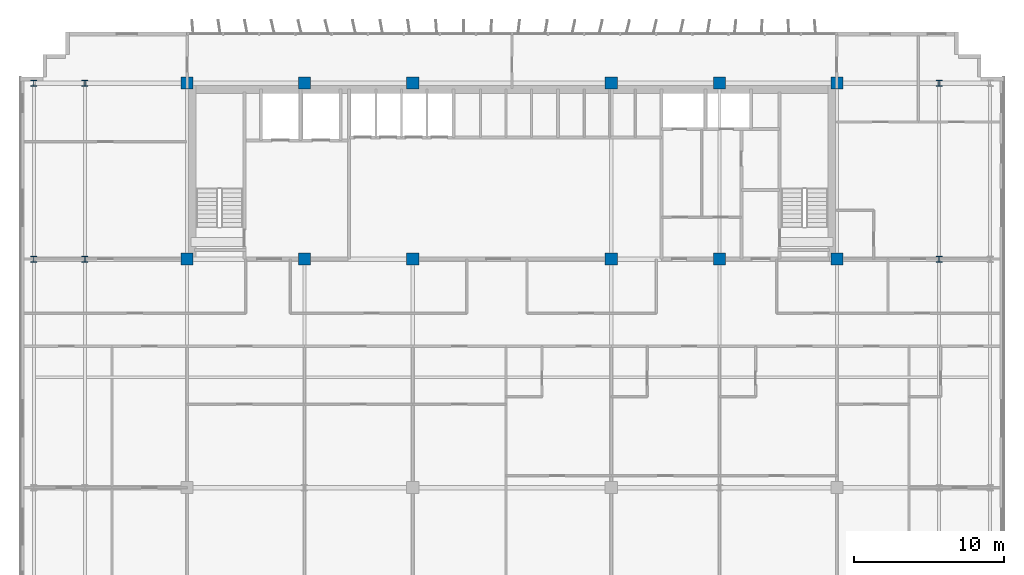
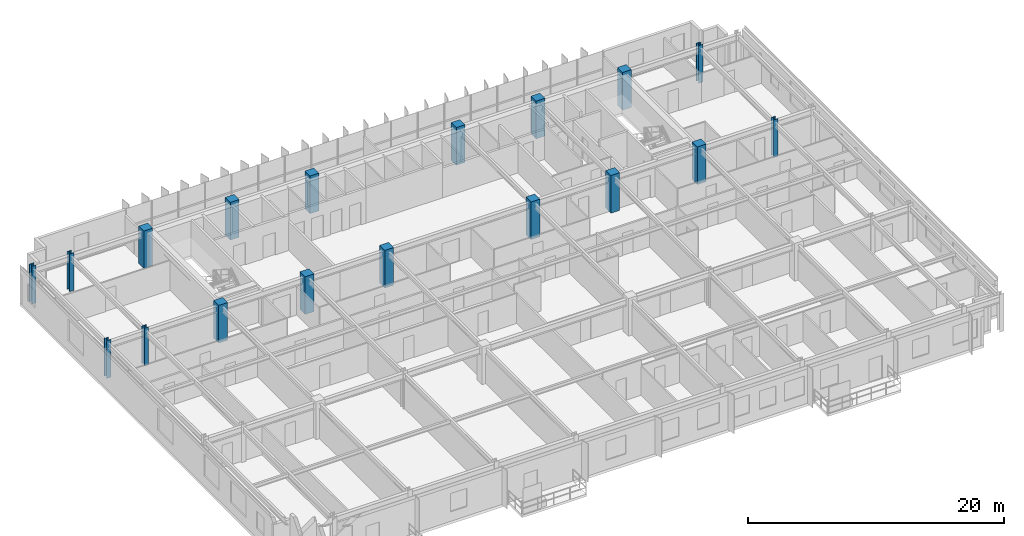
# One storey, part 2 of 22: 18 columns.
"""IFC4 building model written with IfcOpenShell, lengths in metres."""

from ifc_helpers import new_model, si_unit, direction, frame, origin, origin_2d, place, context, subcontext, project, spatial, rectangle, i_section, extrude, source, transform, mapped, material, material_profile, profile_set, type_object, element, save


model = new_model("IFC4")

# Units and contexts
model_context = context("Model", 3, precision=1e-05, world=origin(), true_north=direction((0.0, 1.0)))
body_context = subcontext(model_context, "Body", "Model", "MODEL_VIEW")
ifc_project = project(units=[si_unit("LENGTHUNIT", "METRE"), si_unit("AREAUNIT", "SQUARE_METRE"), si_unit("VOLUMEUNIT", "CUBIC_METRE"), si_unit("PLANEANGLEUNIT", "RADIAN"), si_unit("MASSUNIT", "GRAM", prefix="KILO")], contexts=[model_context])

# Site, building, storey
site_placement = place(None, origin())
site = spatial("IfcSite", under=ifc_project, at=site_placement, CompositionType="ELEMENT")
building_placement = place(site_placement, origin())
building = spatial("IfcBuilding", under=site, at=building_placement, Name="Trelvane Seafront Commons", CompositionType="ELEMENT")
storey_placement = place(building_placement, frame((0.0, 0.0, 85.300048828125)))
storey = spatial("IfcBuildingStorey", under=building, at=storey_placement, Name="L21", CompositionType="ELEMENT", Elevation=85.300048828125)

# Columns
ifc_material_1 = material(Name="Steel SM355 (S355)", Category="steel")
ifc_material_profile_1 = material_profile(ifc_material_1, i_section(OverallWidth=0.39990234375, OverallDepth=0.39990234375, WebThickness=0.02197265625, FlangeThickness=0.034912109375, at=origin_2d()), Name="HD-400x400x22x35")
ifc_profile_set_1 = profile_set([ifc_material_profile_1], Name="Steel SM355 (S355)")
column_type_1 = type_object("IfcColumnType", Name="STR-COL-HD400", PredefinedType="COLUMN", material=ifc_profile_set_1)
shared_shape_1 = source(origin(), body_context, "Body", "SweptSolid", [
    extrude(i_section(OverallWidth=0.39990234375, OverallDepth=0.39990234375, WebThickness=0.02197265625, FlangeThickness=0.034912109375, at=origin_2d()), origin(), (0.0, 0.0, 1.0), 3.599853515625),
])
for number, where, z_axis, x_axis, name in (
    (1, (5.39990234375, 33.39990234375, 0.0), (0.0, 0.0, 1.0), (1.0, 0.0, 0.0), "L21 Column TC-CS5.4"),
    (2, (5.39990234375, 45.10009765625, 0.0), (0.0, 0.0, 1.0), (1.0, 0.0, 0.0), "L21 Column TC-CN5.4"),
    (3, (8.800048828125, 33.39990234375, 0.0), (0.0, 0.0, 1.0), (1.0, 0.0, 0.0), "L21 Column TC-CS8.8"),
    (4, (8.800048828125, 45.10009765625, 0.0), (0.0, 0.0, 1.0), (1.0, 0.0, 0.0), "L21 Column TC-CN8.8"),
    (5, (65.60009765625, 33.39990234375, 0.0), (0.0, 0.0, 1.0), (1.0, 0.0, 0.0), "L21 Column TC-CS65.6"),
    (6, (65.60009765625, 45.10009765625, 0.0), (0.0, 0.0, 1.0), (1.0, 0.0, 0.0), "L21 Column TC-CN65.6"),
):
    element("IfcColumn", number, at=place(storey_placement, frame(where, z_axis=z_axis, x_axis=x_axis)), inside=storey, type_object=column_type_1, Name=name, PredefinedType="COLUMN", context=body_context, shape_type="MappedRepresentation", body=[
        mapped(shared_shape_1, transform((0.0, 0.0, 0.0), x_axis=(1.0, 0.0, 0.0), y_axis=(0.0, 1.0, 0.0), z_axis=(0.0, 0.0, 1.0), scale=1.0)),
    ])
ifc_material_2 = material(Name="Concrete C60/75", Category="concrete")
ifc_material_profile_2 = material_profile(ifc_material_2, rectangle(XDim=0.800048828125, YDim=0.800048828125, at=origin_2d()), Name="RC-800x800")
ifc_profile_set_2 = profile_set([ifc_material_profile_2], Name="Concrete C60/75")
column_type_2 = type_object("IfcColumnType", Name="STR-COL-RC800", PredefinedType="COLUMN", material=ifc_profile_set_2)
shared_shape_2 = source(origin(), body_context, "Body", "SweptSolid", [
    extrude(rectangle(XDim=0.800048828125, YDim=0.800048828125, at=origin_2d()), origin(), (0.0, 0.0, 1.0), 3.599853515625),
])
for number, where, z_axis, x_axis, name in (
    (7, (15.60009765625, 33.39990234375, 0.0), (0.0, 0.0, 1.0), (1.0, 0.0, 0.0), "L21 Column TC-CS15.6"),
    (8, (15.60009765625, 45.10009765625, 0.0), (0.0, 0.0, 1.0), (1.0, 0.0, 0.0), "L21 Column TC-CN15.6"),
    (9, (23.39990234375, 33.39990234375, 0.0), (0.0, 0.0, 1.0), (1.0, 0.0, 0.0), "L21 Column TC-CS23.4"),
    (10, (23.39990234375, 45.10009765625, 0.0), (0.0, 0.0, 1.0), (1.0, 0.0, 0.0), "L21 Column TC-CN23.4"),
    (11, (30.60009765625, 33.39990234375, 0.0), (0.0, 0.0, 1.0), (1.0, 0.0, 0.0), "L21 Column TC-CS30.6"),
    (12, (30.60009765625, 45.10009765625, 0.0), (0.0, 0.0, 1.0), (1.0, 0.0, 0.0), "L21 Column TC-CN30.6"),
    (13, (43.800048828125, 33.39990234375, 0.0), (0.0, 0.0, 1.0), (1.0, 0.0, 0.0), "L21 Column TC-CS43.8"),
    (14, (43.800048828125, 45.10009765625, 0.0), (0.0, 0.0, 1.0), (1.0, 0.0, 0.0), "L21 Column TC-CN43.8"),
    (15, (51.0, 33.39990234375, 0.0), (0.0, 0.0, 1.0), (1.0, 0.0, 0.0), "L21 Column TC-CS51.0"),
    (16, (51.0, 45.10009765625, 0.0), (0.0, 0.0, 1.0), (1.0, 0.0, 0.0), "L21 Column TC-CN51.0"),
    (17, (58.800048828125, 33.39990234375, 0.0), (0.0, 0.0, 1.0), (1.0, 0.0, 0.0), "L21 Column TC-CS58.8"),
    (18, (58.800048828125, 45.10009765625, 0.0), (0.0, 0.0, 1.0), (1.0, 0.0, 0.0), "L21 Column TC-CN58.8"),
):
    element("IfcColumn", number, at=place(storey_placement, frame(where, z_axis=z_axis, x_axis=x_axis)), inside=storey, type_object=column_type_2, Name=name, PredefinedType="COLUMN", context=body_context, shape_type="MappedRepresentation", body=[
        mapped(shared_shape_2, transform((0.0, 0.0, 0.0), x_axis=(1.0, 0.0, 0.0), y_axis=(0.0, 1.0, 0.0), z_axis=(0.0, 0.0, 1.0), scale=1.0)),
    ])

save(model, "model.ifc")
